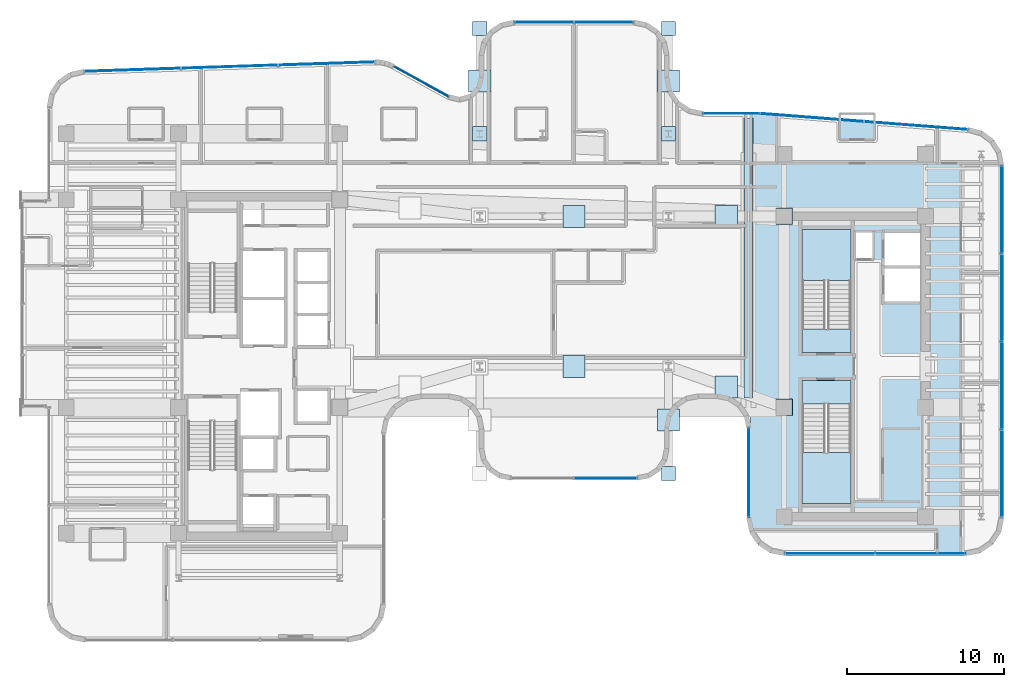
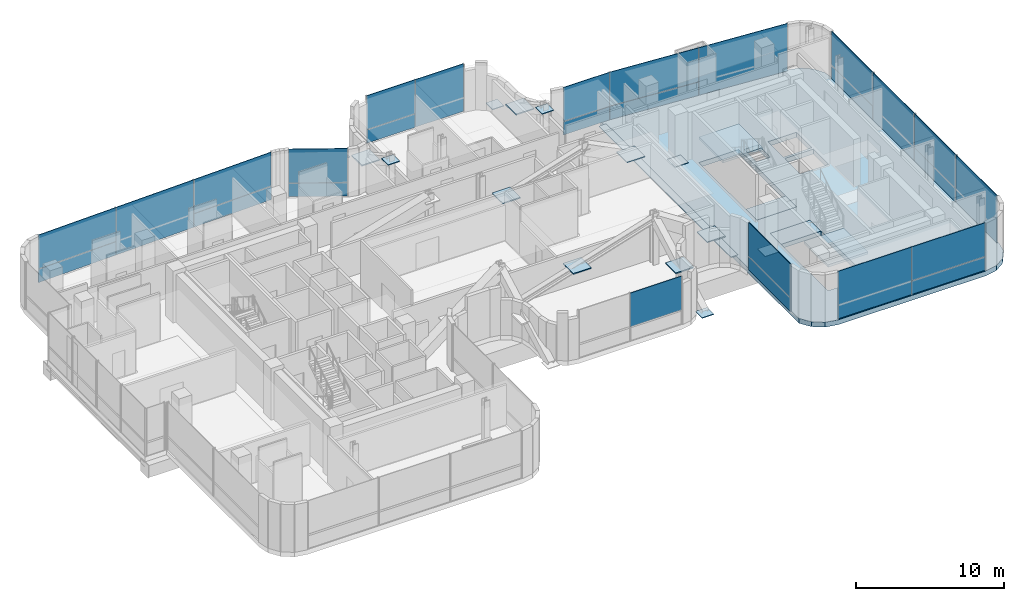
# One storey, part 25 of 37: 42 plates, 5 slabs, 11 elements without a shape of their own.
"""IFC4 building model written with IfcOpenShell, lengths in metres."""

from ifc_helpers import new_model, si_unit, direction, frame, origin, origin_2d, place, context, subcontext, project, spatial, polyline, rectangle, outline, extrude, source, transform, mapped, material, layer, layer_set, type_object, element, aggregate, save


model = new_model("IFC4")

# Units and contexts
model_context = context("Model", 3, precision=1e-05, world=origin(), true_north=direction((0.0, 1.0)))
body_context = subcontext(model_context, "Body", "Model", "MODEL_VIEW")
ifc_project = project(units=[si_unit("LENGTHUNIT", "METRE"), si_unit("AREAUNIT", "SQUARE_METRE"), si_unit("VOLUMEUNIT", "CUBIC_METRE"), si_unit("PLANEANGLEUNIT", "RADIAN"), si_unit("MASSUNIT", "GRAM", prefix="KILO")], contexts=[model_context])

# Site, building, storey
site_placement = place(None, origin())
site = spatial("IfcSite", under=ifc_project, at=site_placement, CompositionType="ELEMENT")
building_placement = place(site_placement, origin())
building = spatial("IfcBuilding", under=site, at=building_placement, Name="Valdorenza Pilgrim Sanctuary Tower", CompositionType="ELEMENT")
storey_placement = place(building_placement, frame((0.0, 0.0, 172.300048828125)))
storey = spatial("IfcBuildingStorey", under=building, at=storey_placement, Name="L44", CompositionType="ELEMENT", Elevation=172.300048828125)

# Stair, slab
ifc_material_1 = material(Name="Concrete C40/50", Category="concrete")
stair_type = type_object("IfcStairType", Name="STR-DOG-CORE", PredefinedType="HALF_TURN_STAIR", material=ifc_material_1)
stair_1_placement = place(storey_placement, origin())
stair_1 = element("IfcStair", 1, at=stair_1_placement, inside=storey, type_object=stair_type, Name="L44 ST-B1", PredefinedType="HALF_TURN_STAIR")
ifc_layer_1 = layer(ifc_material_1, 0.199951171875, Name="Concrete C40/50")
ifc_layer_set_1 = layer_set([ifc_layer_1], Name="Concrete C40/50")
slab_type_1 = type_object("IfcSlabType", Name="SLAB-STL-200", PredefinedType="LANDING", material=ifc_layer_set_1)
slab_1_placement = place(storey_placement, frame((0.0, 0.0, 1.925048828125)))
slab_1 = element("IfcSlab", 2, at=slab_1_placement, type_object=slab_type_1, Name="ST-B1 landing 1", PredefinedType="LANDING", context=body_context, shape_type="SweptSolid", body=[
    extrude(outline(polyline([(20.110107421875, 5.4599609375), (20.110107421875, 8.699951171875), (17.0, 8.699951171875), (17.0, 5.4599609375), (20.110107421875, 5.4599609375)])), origin(), (0.0, 0.0, 1.0), 0.199951171875),
])
aggregate(stair_1, [slab_1])

stair_2_placement = place(storey_placement, origin())
stair_2 = element("IfcStair", 3, at=stair_2_placement, inside=storey, type_object=stair_type, Name="L44 ST-B2", PredefinedType="HALF_TURN_STAIR")
slab_2_placement = place(storey_placement, frame((0.0, 0.0, 1.925048828125)))
slab_2 = element("IfcSlab", 4, at=slab_2_placement, type_object=slab_type_1, Name="ST-B2 landing 1", PredefinedType="LANDING", context=body_context, shape_type="SweptSolid", body=[
    extrude(outline(polyline([(17.0, -5.4599609375), (17.0, -8.699951171875), (20.110107421875, -8.699951171875), (20.110107421875, -5.4599609375), (17.0, -5.4599609375)])), origin(), (0.0, 0.0, 1.0), 0.199951171875),
])
aggregate(stair_2, [slab_2])

# Slabs
ifc_material_2 = material(Name="Concrete C50/60", Category="concrete")
ifc_layer_2 = layer(ifc_material_2, 0.39990234375, Name="Concrete C50/60")
ifc_layer_set_2 = layer_set([ifc_layer_2], Name="Concrete C50/60")
slab_type_2 = type_object("IfcSlabType", Name="SLAB-TRF-400", PredefinedType="FLOOR", material=ifc_layer_set_2)
slab_3_placement = place(storey_placement, frame((0.0, 0.0, -0.400146484375)))
element("IfcSlab", 5, at=slab_3_placement, inside=storey, type_object=slab_type_2, Name="L44 Structural Floor Slab 2", PredefinedType="FLOOR", context=body_context, shape_type="SweptSolid", body=[
    extrude(outline(polyline([(27.585205078125, 15.17138671875), (28.4453125, 14.93896484375), (29.161376953125, 14.408935546875), (29.634521484375, 13.654052734375), (29.800048828125, 12.778564453125), (29.800048828125, -9.60009765625), (29.6171875, -10.518310546875), (29.09716796875, -11.297119140625), (28.318359375, -11.8173828125), (27.39990234375, -12.0), (15.89990234375, -12.0), (14.981689453125, -11.8173828125), (14.202880859375, -11.297119140625), (13.6826171875, -10.518310546875), (13.679931640625, -10.5048828125), (13.679931640625, 16.199951171875), (14.300048828125, 16.199951171875), (27.585205078125, 15.17138671875)]), holes=[polyline([(17.0, -8.699951171875), (20.110107421875, -8.699951171875), (20.110107421875, -2.385009765625), (20.110107421875, -0.89990234375), (17.0, -0.89990234375), (17.0, -2.385009765625), (17.0, -8.699951171875)]), polyline([(17.0, 0.89990234375), (20.110107421875, 0.89990234375), (20.110107421875, 2.385009765625), (20.110107421875, 8.699951171875), (17.0, 8.699951171875), (17.0, 2.385009765625), (17.0, 0.89990234375)]), polyline([(22.25, 4.14990234375), (24.47998046875, 4.14990234375), (24.47998046875, 6.22509765625), (22.25, 6.22509765625), (22.25, 4.14990234375)]), polyline([(22.25, 6.425048828125), (24.47998046875, 6.425048828125), (24.47998046875, 8.5), (22.25, 8.5), (22.25, 6.425048828125)]), polyline([(20.409912109375, 6.860107421875), (21.489990234375, 6.860107421875), (21.489990234375, 8.52001953125), (20.409912109375, 8.52001953125), (20.409912109375, 6.860107421875)])]), origin(), (0.0, 0.0, 1.0), 0.400146484375),
])
slab_4_placement = place(storey_placement, frame((0.0, 0.0, -0.360107421875)))
element("IfcSlab", 6, at=slab_4_placement, inside=storey, type_object=slab_type_2, Name="L44 ST-B1 Structural Stair Landing Bearing Slab", PredefinedType="FLOOR", context=body_context, shape_type="SweptSolid", body=[
    extrude(outline(polyline([(17.0, 0.89990234375), (20.110107421875, 0.89990234375), (20.110107421875, 2.385009765625), (17.0, 2.385009765625), (17.0, 0.89990234375)])), origin(), (0.0, 0.0, 1.0), 0.360107421875),
])
slab_5_placement = place(storey_placement, frame((0.0, 0.0, -0.360107421875)))
element("IfcSlab", 7, at=slab_5_placement, inside=storey, type_object=slab_type_2, Name="L44 ST-B2 Structural Stair Landing Bearing Slab", PredefinedType="FLOOR", context=body_context, shape_type="SweptSolid", body=[
    extrude(outline(polyline([(17.0, -2.385009765625), (20.110107421875, -2.385009765625), (20.110107421875, -0.89990234375), (17.0, -0.89990234375), (17.0, -2.385009765625)])), origin(), (0.0, 0.0, 1.0), 0.360107421875),
])

# Plates
ifc_material_3 = material(Name="Steel ASTM A572 Grade 42", Category="steel")
ifc_layer_3 = layer(ifc_material_3, 0.06005859375, Name="Steel ASTM A572 Grade 42")
ifc_layer_set_3 = layer_set([ifc_layer_3], Name="Steel ASTM A572 Grade 42")
plate_type_1 = type_object("IfcPlateType", Name="PLT-CAP-60", PredefinedType="SHEET", material=ifc_layer_set_3)
shared_shape_1 = source(origin(), body_context, "Body", "SweptSolid", [
    extrude(rectangle(XDim=0.56005859375, YDim=17.800048828125, at=origin_2d()), origin(), (0.0, 0.0, 1.0), 0.06005859375),
])
plate_1_placement = place(storey_placement, frame((13.590087890625, 6.89990234375, -0.06005859375), z_axis=(0.0, 0.0, 1.0), x_axis=(1.0, 0.0, 0.0)))
element("IfcPlate", 8, at=plate_1_placement, inside=storey, type_object=plate_type_1, Name="L44 Portal Bridge Expansion Joint Cover Plate", PredefinedType="SHEET", context=body_context, shape_type="MappedRepresentation", body=[
    mapped(shared_shape_1, transform((0.0, 0.0, 0.0), x_axis=(1.0, 0.0, 0.0), y_axis=(0.0, 1.0, 0.0), z_axis=(0.0, 0.0, 1.0), scale=1.0)),
])
shared_shape_2 = source(origin(), body_context, "Body", "SweptSolid", [
    extrude(rectangle(XDim=1.050048828125, YDim=1.050048828125, at=origin_2d()), origin(), (0.0, 0.0, 1.0), 0.06005859375),
])
for number, where, z_axis, x_axis, name in (
    (9, (15.85009765625, 9.550048828125, -0.030029296875), (0.0, 0.0, 1.0), (1.0, 0.0, 0.0), "L44 Portal Bridge Truss Diagonal E1 End Connection Plate 1"),
    (10, (15.85009765625, -2.60009765625, -0.030029296875), (0.0, 0.0, 1.0), (1.0, 0.0, 0.0), "L44 Portal Bridge Truss Diagonal E2 End Connection Plate 1"),
):
    element("IfcPlate", number, at=place(storey_placement, frame(where, z_axis=z_axis, x_axis=x_axis)), inside=storey, type_object=plate_type_1, Name=name, PredefinedType="SHEET", context=body_context, shape_type="MappedRepresentation", body=[
        mapped(shared_shape_2, transform((0.0, 0.0, 0.0), x_axis=(1.0, 0.0, 0.0), y_axis=(0.0, 1.0, 0.0), z_axis=(0.0, 0.0, 1.0), scale=1.0)),
    ])
ifc_layer_4 = layer(ifc_material_3, 0.090087890625, Name="Steel ASTM A572 Grade 42")
ifc_layer_set_4 = layer_set([ifc_layer_4], Name="Steel ASTM A572 Grade 42")
plate_type_2 = type_object("IfcPlateType", Name="PLT-GUS-90", PredefinedType="USERDEFINED", material=ifc_layer_set_4)
shared_shape_3 = source(origin(), body_context, "Body", "SweptSolid", [
    extrude(rectangle(XDim=1.39990234375, YDim=1.39990234375, at=origin_2d()), origin(), (0.0, 0.0, 1.0), 0.090087890625),
])
for number, where, z_axis, x_axis, name in (
    (11, (2.5, 9.550048828125, 1.8046875), (0.0, 0.0, 1.0), (1.0, 0.0, 0.0), "Truss Node Gusset Assembly PN-01 (MB-PRY44-M1)"),
    (12, (12.175048828125, 9.550048828125, 1.8046875), (0.0, 0.0, 1.0), (1.0, 0.0, 0.0), "Truss Node Gusset Assembly PN-01 (MB-PRY44-E1)"),
    (13, (2.5, 0.0, 1.8046875), (0.0, 0.0, 1.0), (1.0, 0.0, 0.0), "Truss Node Gusset Assembly PN-01 (MB-PRY44-M2)"),
    (14, (12.175048828125, -1.300048828125, 1.8046875), (0.0, 0.0, 1.0), (1.0, 0.0, 0.0), "Truss Node Gusset Assembly PN-01 (MB-PRY44-E2)"),
    (15, (-3.5, 18.14990234375, 1.8046875), (0.0, 0.0, 1.0), (1.0, 0.0, 0.0), "Truss Node Gusset Assembly PN-02 (MB-PROW-N-W)"),
    (16, (8.5, 18.14990234375, 1.8046875), (0.0, 0.0, 1.0), (1.0, 0.0, 0.0), "Truss Node Gusset Assembly PN-02 (MB-PROW-N-E)"),
    (17, (8.5, -3.39990234375, 1.8046875), (0.0, 0.0, 1.0), (1.0, 0.0, 0.0), "Truss Node Gusset Assembly PN-02 (MB-PROW-S-E)"),
):
    element("IfcPlate", number, at=place(storey_placement, frame(where, z_axis=z_axis, x_axis=x_axis)), inside=storey, type_object=plate_type_2, Name=name, ObjectType="GUSSET PLATE", PredefinedType="USERDEFINED", context=body_context, shape_type="MappedRepresentation", body=[
        mapped(shared_shape_3, transform((0.0, 0.0, 0.0), x_axis=(1.0, 0.0, 0.0), y_axis=(0.0, 1.0, 0.0), z_axis=(0.0, 0.0, 1.0), scale=1.0)),
    ])
shared_shape_4 = source(origin(), body_context, "Body", "SweptSolid", [
    extrude(rectangle(XDim=0.89990234375, YDim=0.89990234375, at=origin_2d()), origin(), (0.0, 0.0, 1.0), 0.06005859375),
])
for number, where, z_axis, x_axis, name in (
    (18, (-3.5, 21.5, -0.030029296875), (0.0, 0.0, 1.0), (1.0, 0.0, 0.0), "North Sanctuary Prow Truss Tie W End Connection Plate 1"),
    (19, (-3.5, 14.800048828125, 3.669921875), (0.0, 0.0, 1.0), (1.0, 0.0, 0.0), "North Sanctuary Prow Truss Tie W End Connection Plate 2"),
    (20, (8.5, 21.5, -0.030029296875), (0.0, 0.0, 1.0), (1.0, 0.0, 0.0), "North Sanctuary Prow Truss Tie E End Connection Plate 1"),
    (21, (8.5, 14.800048828125, 3.669921875), (0.0, 0.0, 1.0), (1.0, 0.0, 0.0), "North Sanctuary Prow Truss Tie E End Connection Plate 2"),
    (22, (8.5, -6.800048828125, -0.030029296875), (0.0, 0.0, 1.0), (1.0, 0.0, 0.0), "South Sanctuary Prow Truss Tie E End Connection Plate 1"),
):
    element("IfcPlate", number, at=place(storey_placement, frame(where, z_axis=z_axis, x_axis=x_axis)), inside=storey, type_object=plate_type_1, Name=name, PredefinedType="SHEET", context=body_context, shape_type="MappedRepresentation", body=[
        mapped(shared_shape_4, transform((0.0, 0.0, 0.0), x_axis=(1.0, 0.0, 0.0), y_axis=(0.0, 1.0, 0.0), z_axis=(0.0, 0.0, 1.0), scale=1.0)),
    ])

# Curtain wall, plate
ifc_material_4 = material(Name="Curtain-wall IGU glazing", Category="glass")
curtain_wall_type_1 = type_object("IfcCurtainWallType", Name="CW-SYS-05", PredefinedType="NOTDEFINED", material=ifc_material_4)
curtain_wall_1_placement = place(storey_placement, origin())
curtain_wall_1 = element("IfcCurtainWall", 23, at=curtain_wall_1_placement, inside=storey, type_object=curtain_wall_type_1, Name="L44 Curtain Wall CW-L44-1-47", PredefinedType="NOTDEFINED")
ifc_material_5 = material(Name="Honed travertine limestone", Category="masonry")
ifc_layer_5 = layer(ifc_material_5, 0.050048828125, Name="Honed travertine limestone")
ifc_layer_set_5 = layer_set([ifc_layer_5], Name="Honed travertine limestone")
plate_type_3 = type_object("IfcPlateType", Name="CW-SPN-TRV", PredefinedType="USERDEFINED", material=ifc_layer_set_5)
shared_shape_5 = source(origin(), body_context, "Body", "SweptSolid", [
    extrude(rectangle(XDim=5.679931640625, YDim=0.06005859375, at=origin_2d()), origin(), (0.0, 0.0, 1.0), 1.10009765625),
])
plate_2_placement = place(storey_placement, frame((13.610107421875, -6.7392578125, 0.010009765625), z_axis=(0.0, 0.0, 1.0), x_axis=(0.0, 1.0, 0.0)))
plate_2 = element("IfcPlate", 24, at=plate_2_placement, type_object=plate_type_3, Name="CW-L44-1-47 Travertine Spandrel 1", ObjectType="SPANDREL", PredefinedType="USERDEFINED", context=body_context, shape_type="MappedRepresentation", body=[
    mapped(shared_shape_5, transform((0.0, 0.0, 0.0), x_axis=(1.0, 0.0, 0.0), y_axis=(0.0, 1.0, 0.0), z_axis=(0.0, 0.0, 1.0), scale=1.0)),
])

# Curtain wall, plates
curtain_wall_type_2 = type_object("IfcCurtainWallType", Name="CW-SYS-02", PredefinedType="NOTDEFINED", material=ifc_material_4)
curtain_wall_2_placement = place(storey_placement, origin())
curtain_wall_2 = element("IfcCurtainWall", 25, at=curtain_wall_2_placement, inside=storey, type_object=curtain_wall_type_2, Name="L44 Curtain Wall CW-L44-1-6", PredefinedType="NOTDEFINED")
shared_shape_6 = source(origin(), body_context, "Body", "SweptSolid", [
    extrude(rectangle(XDim=6.15185546875, YDim=0.06005859375, at=origin_2d()), origin(), (0.0, 0.0, 1.0), 1.10009765625),
])
plate_3_placement = place(storey_placement, frame((-25.57958984375, 18.866455078125, 0.010009765625), z_axis=(0.0, 0.0, 1.0), x_axis=(0.999470282811, 0.032544642846, 0.0)))
plate_3 = element("IfcPlate", 26, at=plate_3_placement, type_object=plate_type_3, Name="CW-L44-1-6 Travertine Spandrel 1", ObjectType="SPANDREL", PredefinedType="USERDEFINED", context=body_context, shape_type="MappedRepresentation", body=[
    mapped(shared_shape_6, transform((0.0, 0.0, 0.0), x_axis=(1.0, 0.0, 0.0), y_axis=(0.0, 1.0, 0.0), z_axis=(0.0, 0.0, 1.0), scale=1.0)),
])
plate_4_placement = place(storey_placement, frame((-13.2421875, 19.26806640625, 0.010009765625), z_axis=(0.0, 0.0, 1.0), x_axis=(0.999470282811, 0.032544642846, 0.0)))
plate_4 = element("IfcPlate", 27, at=plate_4_placement, type_object=plate_type_3, Name="CW-L44-1-6 Travertine Spandrel 3", ObjectType="SPANDREL", PredefinedType="USERDEFINED", context=body_context, shape_type="MappedRepresentation", body=[
    mapped(shared_shape_6, transform((0.0, 0.0, 0.0), x_axis=(1.0, 0.0, 0.0), y_axis=(0.0, 1.0, 0.0), z_axis=(0.0, 0.0, 1.0), scale=1.0)),
])
ifc_material_6 = material(Name="Ceramic-fritted low-E IGU glazing", Category="glass")
ifc_layer_6 = layer(ifc_material_6, 0.035888671875, Name="Ceramic-fritted low-E IGU glazing")
ifc_layer_set_6 = layer_set([ifc_layer_6], Name="Ceramic-fritted low-E IGU glazing")
plate_type_4 = type_object("IfcPlateType", Name="CW-GLZ-IGU", PredefinedType="USERDEFINED", material=ifc_layer_set_6)
shared_shape_7 = source(origin(), body_context, "Body", "SweptSolid", [
    extrude(rectangle(XDim=6.15185546875, YDim=0.050048828125, at=origin_2d()), origin(), (0.0, 0.0, 1.0), 2.7900390625),
])
plate_5_placement = place(storey_placement, frame((-25.57958984375, 18.866455078125, 1.1298828125), z_axis=(0.0, 0.0, 1.0), x_axis=(0.999470282811, 0.032544642846, 0.0)))
plate_5 = element("IfcPlate", 28, at=plate_5_placement, type_object=plate_type_4, Name="CW-L44-1-6 Facade Panel 1", ObjectType="GLAZING", PredefinedType="USERDEFINED", context=body_context, shape_type="MappedRepresentation", body=[
    mapped(shared_shape_7, transform((0.0, 0.0, 0.0), x_axis=(1.0, 0.0, 0.0), y_axis=(0.0, 1.0, 0.0), z_axis=(0.0, 0.0, 1.0), scale=1.0)),
])
plate_6_placement = place(storey_placement, frame((-13.2421875, 19.26806640625, 1.1298828125), z_axis=(0.0, 0.0, 1.0), x_axis=(0.999470282811, 0.032544642846, 0.0)))
plate_6 = element("IfcPlate", 29, at=plate_6_placement, type_object=plate_type_4, Name="CW-L44-1-6 Facade Panel 3", ObjectType="GLAZING", PredefinedType="USERDEFINED", context=body_context, shape_type="MappedRepresentation", body=[
    mapped(shared_shape_7, transform((0.0, 0.0, 0.0), x_axis=(1.0, 0.0, 0.0), y_axis=(0.0, 1.0, 0.0), z_axis=(0.0, 0.0, 1.0), scale=1.0)),
])
shared_shape_8 = source(origin(), body_context, "Body", "SweptSolid", [
    extrude(rectangle(XDim=6.15185546875, YDim=0.050048828125, at=origin_2d()), origin(), (0.0, 0.0, 1.0), 3.909912109375),
])
plate_7_placement = place(storey_placement, frame((-19.410888671875, 19.0673828125, 0.009765625), z_axis=(0.0, 0.0, 1.0), x_axis=(0.999470282811, 0.032544642846, 0.0)))
plate_7 = element("IfcPlate", 30, at=plate_7_placement, type_object=plate_type_4, Name="CW-L44-1-6 Full-Height Facade Panel 2", ObjectType="GLAZING", PredefinedType="USERDEFINED", context=body_context, shape_type="MappedRepresentation", body=[
    mapped(shared_shape_8, transform((0.0, 0.0, 0.0), x_axis=(1.0, 0.0, 0.0), y_axis=(0.0, 1.0, 0.0), z_axis=(0.0, 0.0, 1.0), scale=1.0)),
])
aggregate(curtain_wall_2, [plate_3, plate_5, plate_7, plate_4, plate_6])

curtain_wall_3_placement = place(storey_placement, origin())
curtain_wall_3 = element("IfcCurtainWall", 31, at=curtain_wall_3_placement, inside=storey, type_object=curtain_wall_type_1, Name="L44 Curtain Wall CW-L44-1-11", PredefinedType="NOTDEFINED")
shared_shape_9 = source(origin(), body_context, "Body", "SweptSolid", [
    extrude(rectangle(XDim=3.97607421875, YDim=0.06005859375, at=origin_2d()), origin(), (0.0, 0.0, 1.0), 1.10009765625),
])
plate_8_placement = place(storey_placement, frame((-7.222412109375, 18.12158203125, 0.010009765625), z_axis=(0.0, 0.0, 1.0), x_axis=(0.876214173829, -0.481921904027, 0.0)))
plate_8 = element("IfcPlate", 32, at=plate_8_placement, type_object=plate_type_3, Name="CW-L44-1-11 Travertine Spandrel 1", ObjectType="SPANDREL", PredefinedType="USERDEFINED", context=body_context, shape_type="MappedRepresentation", body=[
    mapped(shared_shape_9, transform((0.0, 0.0, 0.0), x_axis=(1.0, 0.0, 0.0), y_axis=(0.0, 1.0, 0.0), z_axis=(0.0, 0.0, 1.0), scale=1.0)),
])
shared_shape_10 = source(origin(), body_context, "Body", "SweptSolid", [
    extrude(rectangle(XDim=3.97607421875, YDim=0.050048828125, at=origin_2d()), origin(), (0.0, 0.0, 1.0), 2.7900390625),
])
plate_9_placement = place(storey_placement, frame((-7.222412109375, 18.12158203125, 1.1298828125), z_axis=(0.0, 0.0, 1.0), x_axis=(0.876214173829, -0.481921904027, 0.0)))
plate_9 = element("IfcPlate", 33, at=plate_9_placement, type_object=plate_type_4, Name="CW-L44-1-11 Facade Panel 1", ObjectType="GLAZING", PredefinedType="USERDEFINED", context=body_context, shape_type="MappedRepresentation", body=[
    mapped(shared_shape_10, transform((0.0, 0.0, 0.0), x_axis=(1.0, 0.0, 0.0), y_axis=(0.0, 1.0, 0.0), z_axis=(0.0, 0.0, 1.0), scale=1.0)),
])
aggregate(curtain_wall_3, [plate_8, plate_9])

curtain_wall_4_placement = place(storey_placement, origin())
curtain_wall_4 = element("IfcCurtainWall", 34, at=curtain_wall_4_placement, inside=storey, type_object=curtain_wall_type_1, Name="L44 Curtain Wall CW-L44-1-21", PredefinedType="NOTDEFINED")
shared_shape_11 = source(origin(), body_context, "Body", "SweptSolid", [
    extrude(rectangle(XDim=3.76513671875, YDim=0.06005859375, at=origin_2d()), origin(), (0.0, 0.0, 1.0), 1.10009765625),
])
plate_10_placement = place(storey_placement, frame((0.607421875, 21.889892578125, 0.010009765625), z_axis=(0.0, 0.0, 1.0), x_axis=(1.0, 0.0, 0.0)))
plate_10 = element("IfcPlate", 35, at=plate_10_placement, type_object=plate_type_3, Name="CW-L44-1-21 Travertine Spandrel 1", ObjectType="SPANDREL", PredefinedType="USERDEFINED", context=body_context, shape_type="MappedRepresentation", body=[
    mapped(shared_shape_11, transform((0.0, 0.0, 0.0), x_axis=(1.0, 0.0, 0.0), y_axis=(0.0, 1.0, 0.0), z_axis=(0.0, 0.0, 1.0), scale=1.0)),
])
shared_shape_12 = source(origin(), body_context, "Body", "SweptSolid", [
    extrude(rectangle(XDim=3.76513671875, YDim=0.050048828125, at=origin_2d()), origin(), (0.0, 0.0, 1.0), 2.7900390625),
])
plate_11_placement = place(storey_placement, frame((0.607421875, 21.889892578125, 1.1298828125), z_axis=(0.0, 0.0, 1.0), x_axis=(1.0, 0.0, 0.0)))
plate_11 = element("IfcPlate", 36, at=plate_11_placement, type_object=plate_type_4, Name="CW-L44-1-21 Facade Panel 1", ObjectType="GLAZING", PredefinedType="USERDEFINED", context=body_context, shape_type="MappedRepresentation", body=[
    mapped(shared_shape_12, transform((0.0, 0.0, 0.0), x_axis=(1.0, 0.0, 0.0), y_axis=(0.0, 1.0, 0.0), z_axis=(0.0, 0.0, 1.0), scale=1.0)),
])
shared_shape_13 = source(origin(), body_context, "Body", "SweptSolid", [
    extrude(rectangle(XDim=3.76513671875, YDim=0.050048828125, at=origin_2d()), origin(), (0.0, 0.0, 1.0), 3.909912109375),
])
plate_12_placement = place(storey_placement, frame((4.392578125, 21.889892578125, 0.009765625), z_axis=(0.0, 0.0, 1.0), x_axis=(1.0, 0.0, 0.0)))
plate_12 = element("IfcPlate", 37, at=plate_12_placement, type_object=plate_type_4, Name="CW-L44-1-21 Full-Height Facade Panel 2", ObjectType="GLAZING", PredefinedType="USERDEFINED", context=body_context, shape_type="MappedRepresentation", body=[
    mapped(shared_shape_13, transform((0.0, 0.0, 0.0), x_axis=(1.0, 0.0, 0.0), y_axis=(0.0, 1.0, 0.0), z_axis=(0.0, 0.0, 1.0), scale=1.0)),
])
aggregate(curtain_wall_4, [plate_10, plate_11, plate_12])

curtain_wall_5_placement = place(storey_placement, origin())
curtain_wall_5 = element("IfcCurtainWall", 38, at=curtain_wall_5_placement, inside=storey, type_object=curtain_wall_type_1, Name="L44 Curtain Wall CW-L44-1-31", PredefinedType="NOTDEFINED")
shared_shape_14 = source(origin(), body_context, "Body", "SweptSolid", [
    extrude(rectangle(XDim=3.58251953125, YDim=0.06005859375, at=origin_2d()), origin(), (0.0, 0.0, 1.0), 1.10009765625),
])
plate_13_placement = place(storey_placement, frame((12.494384765625, 16.090087890625, 0.010009765625), z_axis=(0.0, 0.0, 1.0), x_axis=(1.0, 0.0, 0.0)))
plate_13 = element("IfcPlate", 39, at=plate_13_placement, type_object=plate_type_3, Name="CW-L44-1-31 Travertine Spandrel 1", ObjectType="SPANDREL", PredefinedType="USERDEFINED", context=body_context, shape_type="MappedRepresentation", body=[
    mapped(shared_shape_14, transform((0.0, 0.0, 0.0), x_axis=(1.0, 0.0, 0.0), y_axis=(0.0, 1.0, 0.0), z_axis=(0.0, 0.0, 1.0), scale=1.0)),
])
shared_shape_15 = source(origin(), body_context, "Body", "SweptSolid", [
    extrude(rectangle(XDim=3.58251953125, YDim=0.050048828125, at=origin_2d()), origin(), (0.0, 0.0, 1.0), 2.7900390625),
])
plate_14_placement = place(storey_placement, frame((12.494384765625, 16.090087890625, 1.1298828125), z_axis=(0.0, 0.0, 1.0), x_axis=(1.0, 0.0, 0.0)))
plate_14 = element("IfcPlate", 40, at=plate_14_placement, type_object=plate_type_4, Name="CW-L44-1-31 Facade Panel 1", ObjectType="GLAZING", PredefinedType="USERDEFINED", context=body_context, shape_type="MappedRepresentation", body=[
    mapped(shared_shape_15, transform((0.0, 0.0, 0.0), x_axis=(1.0, 0.0, 0.0), y_axis=(0.0, 1.0, 0.0), z_axis=(0.0, 0.0, 1.0), scale=1.0)),
])
aggregate(curtain_wall_5, [plate_13, plate_14])

curtain_wall_type_3 = type_object("IfcCurtainWallType", Name="CW-SYS-03", PredefinedType="NOTDEFINED", material=ifc_material_4)
curtain_wall_6_placement = place(storey_placement, origin())
curtain_wall_6 = element("IfcCurtainWall", 41, at=curtain_wall_6_placement, inside=storey, type_object=curtain_wall_type_3, Name="L44 Curtain Wall CW-L44-1-32", PredefinedType="NOTDEFINED")
shared_shape_16 = source(origin(), body_context, "Body", "SweptSolid", [
    extrude(rectangle(XDim=6.63525390625, YDim=0.06005859375, at=origin_2d()), origin(), (0.0, 0.0, 1.0), 1.10009765625),
])
plate_15_placement = place(storey_placement, frame((17.61328125, 15.8330078125, 0.010009765625), z_axis=(0.0, 0.0, 1.0), x_axis=(0.997016488532, -0.077188869631, 0.0)))
plate_15 = element("IfcPlate", 42, at=plate_15_placement, type_object=plate_type_3, Name="CW-L44-1-32 Travertine Spandrel 1", ObjectType="SPANDREL", PredefinedType="USERDEFINED", context=body_context, shape_type="MappedRepresentation", body=[
    mapped(shared_shape_16, transform((0.0, 0.0, 0.0), x_axis=(1.0, 0.0, 0.0), y_axis=(0.0, 1.0, 0.0), z_axis=(0.0, 0.0, 1.0), scale=1.0)),
])
shared_shape_17 = source(origin(), body_context, "Body", "SweptSolid", [
    extrude(rectangle(XDim=6.63525390625, YDim=0.050048828125, at=origin_2d()), origin(), (0.0, 0.0, 1.0), 2.7900390625),
])
plate_16_placement = place(storey_placement, frame((17.61328125, 15.8330078125, 1.1298828125), z_axis=(0.0, 0.0, 1.0), x_axis=(0.997016488532, -0.077188869631, 0.0)))
plate_16 = element("IfcPlate", 43, at=plate_16_placement, type_object=plate_type_4, Name="CW-L44-1-32 Facade Panel 1", ObjectType="GLAZING", PredefinedType="USERDEFINED", context=body_context, shape_type="MappedRepresentation", body=[
    mapped(shared_shape_17, transform((0.0, 0.0, 0.0), x_axis=(1.0, 0.0, 0.0), y_axis=(0.0, 1.0, 0.0), z_axis=(0.0, 0.0, 1.0), scale=1.0)),
])
shared_shape_18 = source(origin(), body_context, "Body", "SweptSolid", [
    extrude(rectangle(XDim=6.63525390625, YDim=0.050048828125, at=origin_2d()), origin(), (0.0, 0.0, 1.0), 3.909912109375),
])
plate_17_placement = place(storey_placement, frame((24.248779296875, 15.3193359375, 0.009765625), z_axis=(0.0, 0.0, 1.0), x_axis=(0.997016488532, -0.077188869631, 0.0)))
plate_17 = element("IfcPlate", 44, at=plate_17_placement, type_object=plate_type_4, Name="CW-L44-1-32 Full-Height Facade Panel 2", ObjectType="GLAZING", PredefinedType="USERDEFINED", context=body_context, shape_type="MappedRepresentation", body=[
    mapped(shared_shape_18, transform((0.0, 0.0, 0.0), x_axis=(1.0, 0.0, 0.0), y_axis=(0.0, 1.0, 0.0), z_axis=(0.0, 0.0, 1.0), scale=1.0)),
])
aggregate(curtain_wall_6, [plate_15, plate_16, plate_17])

curtain_wall_7_placement = place(storey_placement, origin())
curtain_wall_7 = element("IfcCurtainWall", 45, at=curtain_wall_7_placement, inside=storey, type_object=curtain_wall_type_3, Name="L44 Curtain Wall CW-L44-1-37", PredefinedType="NOTDEFINED")
shared_shape_19 = source(origin(), body_context, "Body", "SweptSolid", [
    extrude(rectangle(XDim=5.5693359375, YDim=0.06005859375, at=origin_2d()), origin(), (0.0, 0.0, 1.0), 1.10009765625),
])
plate_18_placement = place(storey_placement, frame((29.68994140625, 9.9736328125, 0.010009765625), z_axis=(0.0, 0.0, 1.0), x_axis=(0.0, -1.0, 0.0)))
plate_18 = element("IfcPlate", 46, at=plate_18_placement, type_object=plate_type_3, Name="CW-L44-1-37 Travertine Spandrel 1", ObjectType="SPANDREL", PredefinedType="USERDEFINED", context=body_context, shape_type="MappedRepresentation", body=[
    mapped(shared_shape_19, transform((0.0, 0.0, 0.0), x_axis=(1.0, 0.0, 0.0), y_axis=(0.0, 1.0, 0.0), z_axis=(0.0, 0.0, 1.0), scale=1.0)),
])
plate_19_placement = place(storey_placement, frame((29.68994140625, -1.205078125, 0.010009765625), z_axis=(0.0, 0.0, 1.0), x_axis=(0.0, -1.0, 0.0)))
plate_19 = element("IfcPlate", 47, at=plate_19_placement, type_object=plate_type_3, Name="CW-L44-1-37 Travertine Spandrel 3", ObjectType="SPANDREL", PredefinedType="USERDEFINED", context=body_context, shape_type="MappedRepresentation", body=[
    mapped(shared_shape_19, transform((0.0, 0.0, 0.0), x_axis=(1.0, 0.0, 0.0), y_axis=(0.0, 1.0, 0.0), z_axis=(0.0, 0.0, 1.0), scale=1.0)),
])
shared_shape_20 = source(origin(), body_context, "Body", "SweptSolid", [
    extrude(rectangle(XDim=5.5693359375, YDim=0.050048828125, at=origin_2d()), origin(), (0.0, 0.0, 1.0), 2.7900390625),
])
plate_20_placement = place(storey_placement, frame((29.68994140625, 9.9736328125, 1.1298828125), z_axis=(0.0, 0.0, 1.0), x_axis=(0.0, -1.0, 0.0)))
plate_20 = element("IfcPlate", 48, at=plate_20_placement, type_object=plate_type_4, Name="CW-L44-1-37 Facade Panel 1", ObjectType="GLAZING", PredefinedType="USERDEFINED", context=body_context, shape_type="MappedRepresentation", body=[
    mapped(shared_shape_20, transform((0.0, 0.0, 0.0), x_axis=(1.0, 0.0, 0.0), y_axis=(0.0, 1.0, 0.0), z_axis=(0.0, 0.0, 1.0), scale=1.0)),
])
plate_21_placement = place(storey_placement, frame((29.68994140625, -1.205078125, 1.1298828125), z_axis=(0.0, 0.0, 1.0), x_axis=(0.0, -1.0, 0.0)))
plate_21 = element("IfcPlate", 49, at=plate_21_placement, type_object=plate_type_4, Name="CW-L44-1-37 Facade Panel 3", ObjectType="GLAZING", PredefinedType="USERDEFINED", context=body_context, shape_type="MappedRepresentation", body=[
    mapped(shared_shape_20, transform((0.0, 0.0, 0.0), x_axis=(1.0, 0.0, 0.0), y_axis=(0.0, 1.0, 0.0), z_axis=(0.0, 0.0, 1.0), scale=1.0)),
])
shared_shape_21 = source(origin(), body_context, "Body", "SweptSolid", [
    extrude(rectangle(XDim=5.5693359375, YDim=0.050048828125, at=origin_2d()), origin(), (0.0, 0.0, 1.0), 3.909912109375),
])
plate_22_placement = place(storey_placement, frame((29.68994140625, 4.38427734375, 0.009765625), z_axis=(0.0, 0.0, 1.0), x_axis=(0.0, -1.0, 0.0)))
plate_22 = element("IfcPlate", 50, at=plate_22_placement, type_object=plate_type_4, Name="CW-L44-1-37 Full-Height Facade Panel 2", ObjectType="GLAZING", PredefinedType="USERDEFINED", context=body_context, shape_type="MappedRepresentation", body=[
    mapped(shared_shape_21, transform((0.0, 0.0, 0.0), x_axis=(1.0, 0.0, 0.0), y_axis=(0.0, 1.0, 0.0), z_axis=(0.0, 0.0, 1.0), scale=1.0)),
])
plate_23_placement = place(storey_placement, frame((29.68994140625, -6.79443359375, 0.009765625), z_axis=(0.0, 0.0, 1.0), x_axis=(0.0, -1.0, 0.0)))
plate_23 = element("IfcPlate", 51, at=plate_23_placement, type_object=plate_type_4, Name="CW-L44-1-37 Full-Height Facade Panel 4", ObjectType="GLAZING", PredefinedType="USERDEFINED", context=body_context, shape_type="MappedRepresentation", body=[
    mapped(shared_shape_21, transform((0.0, 0.0, 0.0), x_axis=(1.0, 0.0, 0.0), y_axis=(0.0, 1.0, 0.0), z_axis=(0.0, 0.0, 1.0), scale=1.0)),
])
aggregate(curtain_wall_7, [plate_18, plate_20, plate_22, plate_19, plate_21, plate_23])

curtain_wall_8_placement = place(storey_placement, origin())
curtain_wall_8 = element("IfcCurtainWall", 52, at=curtain_wall_8_placement, inside=storey, type_object=curtain_wall_type_3, Name="L44 Curtain Wall CW-L44-1-42", PredefinedType="NOTDEFINED")
shared_shape_22 = source(origin(), body_context, "Body", "SweptSolid", [
    extrude(rectangle(XDim=5.71923828125, YDim=0.06005859375, at=origin_2d()), origin(), (0.0, 0.0, 1.0), 1.10009765625),
])
plate_24_placement = place(storey_placement, frame((24.51953125, -11.889892578125, 0.010009765625), z_axis=(0.0, 0.0, 1.0), x_axis=(-1.0, 0.0, 0.0)))
plate_24 = element("IfcPlate", 53, at=plate_24_placement, type_object=plate_type_3, Name="CW-L44-1-42 Travertine Spandrel 1", ObjectType="SPANDREL", PredefinedType="USERDEFINED", context=body_context, shape_type="MappedRepresentation", body=[
    mapped(shared_shape_22, transform((0.0, 0.0, 0.0), x_axis=(1.0, 0.0, 0.0), y_axis=(0.0, 1.0, 0.0), z_axis=(0.0, 0.0, 1.0), scale=1.0)),
])
shared_shape_23 = source(origin(), body_context, "Body", "SweptSolid", [
    extrude(rectangle(XDim=5.71923828125, YDim=0.050048828125, at=origin_2d()), origin(), (0.0, 0.0, 1.0), 2.7900390625),
])
plate_25_placement = place(storey_placement, frame((24.51953125, -11.889892578125, 1.1298828125), z_axis=(0.0, 0.0, 1.0), x_axis=(-1.0, 0.0, 0.0)))
plate_25 = element("IfcPlate", 54, at=plate_25_placement, type_object=plate_type_4, Name="CW-L44-1-42 Facade Panel 1", ObjectType="GLAZING", PredefinedType="USERDEFINED", context=body_context, shape_type="MappedRepresentation", body=[
    mapped(shared_shape_23, transform((0.0, 0.0, 0.0), x_axis=(1.0, 0.0, 0.0), y_axis=(0.0, 1.0, 0.0), z_axis=(0.0, 0.0, 1.0), scale=1.0)),
])
shared_shape_24 = source(origin(), body_context, "Body", "SweptSolid", [
    extrude(rectangle(XDim=5.71923828125, YDim=0.050048828125, at=origin_2d()), origin(), (0.0, 0.0, 1.0), 3.909912109375),
])
plate_26_placement = place(storey_placement, frame((18.780517578125, -11.889892578125, 0.009765625), z_axis=(0.0, 0.0, 1.0), x_axis=(-1.0, 0.0, 0.0)))
plate_26 = element("IfcPlate", 55, at=plate_26_placement, type_object=plate_type_4, Name="CW-L44-1-42 Full-Height Facade Panel 2", ObjectType="GLAZING", PredefinedType="USERDEFINED", context=body_context, shape_type="MappedRepresentation", body=[
    mapped(shared_shape_24, transform((0.0, 0.0, 0.0), x_axis=(1.0, 0.0, 0.0), y_axis=(0.0, 1.0, 0.0), z_axis=(0.0, 0.0, 1.0), scale=1.0)),
])
aggregate(curtain_wall_8, [plate_24, plate_25, plate_26])

# Plate
shared_shape_25 = source(origin(), body_context, "Body", "SweptSolid", [
    extrude(rectangle(XDim=5.679931640625, YDim=0.050048828125, at=origin_2d()), origin(), (0.0, 0.0, 1.0), 2.7900390625),
])
plate_27_placement = place(storey_placement, frame((13.610107421875, -6.7392578125, 1.1298828125), z_axis=(0.0, 0.0, 1.0), x_axis=(0.0, 1.0, 0.0)))
plate_27 = element("IfcPlate", 56, at=plate_27_placement, type_object=plate_type_4, Name="CW-L44-1-47 Facade Panel 1", ObjectType="GLAZING", PredefinedType="USERDEFINED", context=body_context, shape_type="MappedRepresentation", body=[
    mapped(shared_shape_25, transform((0.0, 0.0, 0.0), x_axis=(1.0, 0.0, 0.0), y_axis=(0.0, 1.0, 0.0), z_axis=(0.0, 0.0, 1.0), scale=1.0)),
])

aggregate(curtain_wall_1, [plate_2, plate_27])

# Curtain wall, plate
curtain_wall_9_placement = place(storey_placement, origin())
curtain_wall_9 = element("IfcCurtainWall", 57, at=curtain_wall_9_placement, inside=storey, type_object=curtain_wall_type_1, Name="L44 Curtain Wall CW-L44-1-62", PredefinedType="NOTDEFINED")
shared_shape_26 = source(origin(), body_context, "Body", "SweptSolid", [
    extrude(rectangle(XDim=3.9931640625, YDim=0.050048828125, at=origin_2d()), origin(), (0.0, 0.0, 1.0), 2.7900390625),
])
plate_28_placement = place(storey_placement, frame((4.506591796875, -7.090087890625, 1.1298828125), z_axis=(0.0, 0.0, 1.0), x_axis=(-1.0, 0.0, 0.0)))
plate_28 = element("IfcPlate", 58, at=plate_28_placement, type_object=plate_type_4, Name="CW-L44-1-62 Facade Panel 1", ObjectType="GLAZING", PredefinedType="USERDEFINED", context=body_context, shape_type="MappedRepresentation", body=[
    mapped(shared_shape_26, transform((0.0, 0.0, 0.0), x_axis=(1.0, 0.0, 0.0), y_axis=(0.0, 1.0, 0.0), z_axis=(0.0, 0.0, 1.0), scale=1.0)),
])
aggregate(curtain_wall_9, [plate_28])

save(model, "model.ifc")
